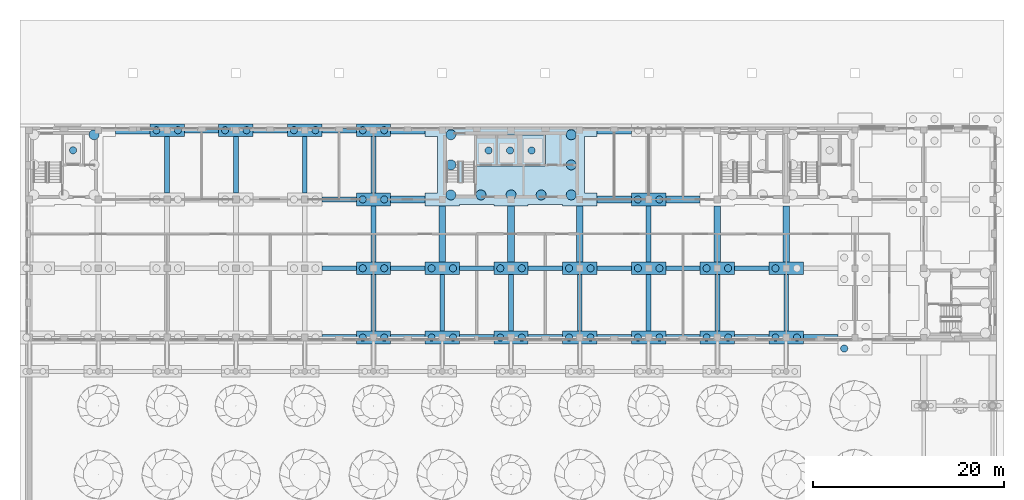
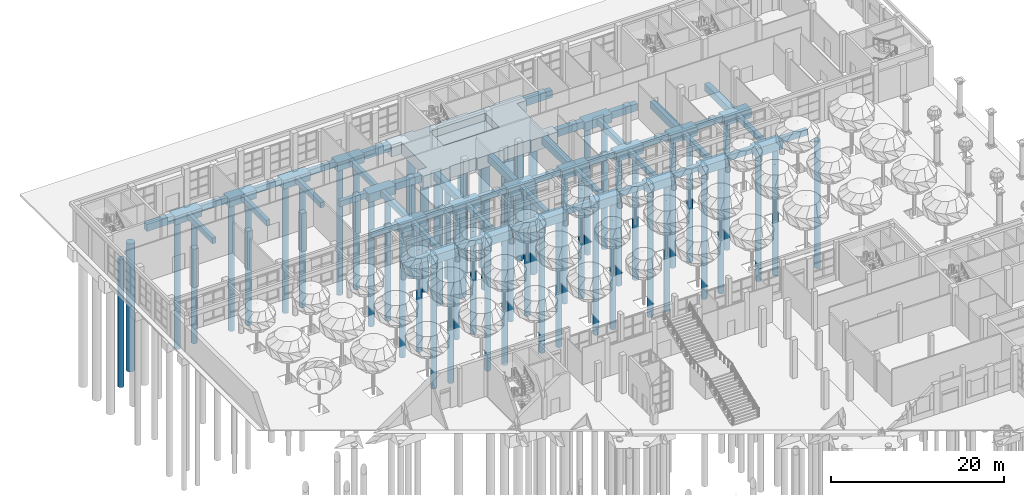
# One storey, part 6 of 80: 65 footings, 54 piles.
"""IFC4 building model written with IfcOpenShell, lengths in metres."""

from ifc_helpers import new_model, si_unit, direction, frame, origin, origin_2d, place, context, subcontext, project, spatial, polyline, rectangle, circle, outline, extrude, material, material_profile, profile_set, type_object, element, save


model = new_model("IFC4")

# Units and contexts
model_context = context("Model", 3, precision=1e-05, world=origin(), true_north=direction((0.0, 1.0)))
body_context = subcontext(model_context, "Body", "Model", "MODEL_VIEW")
ifc_project = project(units=[si_unit("LENGTHUNIT", "METRE"), si_unit("AREAUNIT", "SQUARE_METRE"), si_unit("VOLUMEUNIT", "CUBIC_METRE"), si_unit("PLANEANGLEUNIT", "RADIAN"), si_unit("MASSUNIT", "GRAM", prefix="KILO")], contexts=[model_context])

# Site, building, storey
site_placement = place(None, origin())
site = spatial("IfcSite", under=ifc_project, at=site_placement, CompositionType="ELEMENT")
building_placement = place(site_placement, origin())
building = spatial("IfcBuilding", under=site, at=building_placement, Name="Ussher Court Research Institute", CompositionType="ELEMENT")
storey_placement = place(building_placement, origin())
storey = spatial("IfcBuildingStorey", under=building, at=storey_placement, Name="L00", CompositionType="ELEMENT", Elevation=0.0)

# Piles
ifc_material_1 = material(Name="Concrete C35/45", Category="concrete")
ifc_material_profile_1 = material_profile(ifc_material_1, circle(Radius=0.52490234375, at=origin_2d()), Name="RC D1050")
ifc_profile_set_1 = profile_set([ifc_material_profile_1], Name="Concrete C35/45")
pile_type_1 = type_object("IfcPileType", Name="Bored pile D1050", PredefinedType="BORED", material=ifc_profile_set_1)
for number, where, z_axis, x_axis, name in (
    (1, (9.75, 89.97509765625, -2.10009765625), (0.0, 0.0, -1.0), (1.0, 0.0, 0.0), "P5 016-07"),
    (2, (47.10009765625, 83.675048828125, -2.10009765625), (0.0, 0.0, -1.0), (1.0, 0.0, 0.0), "P5 060-01"),
    (3, (47.10009765625, 86.824951171875, -2.10009765625), (0.0, 0.0, -1.0), (1.0, 0.0, 0.0), "P5 060-02"),
    (4, (47.10009765625, 89.97509765625, -2.10009765625), (0.0, 0.0, -1.0), (1.0, 0.0, 0.0), "P5 060-03"),
    (5, (50.25, 83.675048828125, -2.10009765625), (0.0, 0.0, -1.0), (1.0, 0.0, 0.0), "P5 060-04"),
    (6, (53.39990234375, 83.675048828125, -2.10009765625), (0.0, 0.0, -1.0), (1.0, 0.0, 0.0), "P5 060-05"),
    (7, (56.550048828125, 83.675048828125, -2.10009765625), (0.0, 0.0, -1.0), (1.0, 0.0, 0.0), "P5 060-06"),
    (8, (59.699951171875, 83.675048828125, -2.10009765625), (0.0, 0.0, -1.0), (1.0, 0.0, 0.0), "P5 060-07"),
    (9, (59.699951171875, 86.824951171875, -2.10009765625), (0.0, 0.0, -1.0), (1.0, 0.0, 0.0), "P5 060-08"),
    (10, (59.699951171875, 89.97509765625, -2.10009765625), (0.0, 0.0, -1.0), (1.0, 0.0, 0.0), "P5 060-09"),
):
    element("IfcPile", number, at=place(storey_placement, frame(where, z_axis=z_axis, x_axis=x_axis)), inside=storey, type_object=pile_type_1, Name=name, PredefinedType="BORED", context=body_context, shape_type="SweptSolid", body=[
        extrude(circle(Radius=0.52490234375, at=origin_2d()), origin(), (0.0, 0.0, 1.0), 18.0),
    ])
ifc_material_2 = material(Name="Concrete C35/45", Category="concrete")
ifc_material_profile_2 = material_profile(ifc_material_2, circle(Radius=0.375, at=origin_2d()), Name="RC D750")
ifc_profile_set_2 = profile_set([ifc_material_profile_2], Name="Concrete C35/45")
pile_type_2 = type_object("IfcPileType", Name="Bored pile D750", PredefinedType="BORED", material=ifc_profile_set_2)
for number, where, z_axis, x_axis, name in (
    (11, (7.550048828125, 88.35009765625, -2.64990234375), (0.0, 0.0, -1.0), (1.0, 0.0, 0.0), "P1 002-01"),
    (12, (51.050048828125, 88.324951171875, -2.64990234375), (0.0, 0.0, -1.0), (1.0, 0.0, 0.0), "P1 004-01"),
    (13, (53.300048828125, 88.324951171875, -2.64990234375), (0.0, 0.0, -1.0), (1.0, 0.0, 0.0), "P1 004-02"),
    (14, (55.550048828125, 88.324951171875, -2.64990234375), (0.0, 0.0, -1.0), (1.0, 0.0, 0.0), "P1 004-03"),
    (15, (16.27490234375, 90.449951171875, -1.60009765625), (0.0, 0.0, -1.0), (1.0, 0.0, 0.0), "P1 029-01"),
    (16, (18.52490234375, 90.449951171875, -1.60009765625), (0.0, 0.0, -1.0), (1.0, 0.0, 0.0), "P1 029-02"),
    (17, (23.47509765625, 90.449951171875, -1.60009765625), (0.0, 0.0, -1.0), (1.0, 0.0, 0.0), "P1 037-01"),
    (18, (25.72509765625, 90.449951171875, -1.60009765625), (0.0, 0.0, -1.0), (1.0, 0.0, 0.0), "P1 037-02"),
    (19, (30.675048828125, 90.449951171875, -1.60009765625), (0.0, 0.0, -1.0), (1.0, 0.0, 0.0), "P1 043-01"),
    (20, (32.925048828125, 90.449951171875, -1.60009765625), (0.0, 0.0, -1.0), (1.0, 0.0, 0.0), "P1 043-02"),
    (21, (37.875, 68.75, -1.60009765625), (0.0, 0.0, -1.0), (1.0, 0.0, 0.0), "P1 052-01"),
    (22, (40.125, 68.75, -1.60009765625), (0.0, 0.0, -1.0), (1.0, 0.0, 0.0), "P1 052-02"),
    (23, (37.875, 76.0, -1.60009765625), (0.0, 0.0, -1.0), (1.0, 0.0, 0.0), "P1 053-01"),
    (24, (40.125, 76.0, -1.60009765625), (0.0, 0.0, -1.0), (1.0, 0.0, 0.0), "P1 053-02"),
    (25, (37.875, 83.199951171875, -1.60009765625), (0.0, 0.0, -1.0), (1.0, 0.0, 0.0), "P1 054-01"),
    (26, (40.125, 83.199951171875, -1.60009765625), (0.0, 0.0, -1.0), (1.0, 0.0, 0.0), "P1 054-02"),
    (27, (37.875, 90.449951171875, -1.60009765625), (0.0, 0.0, -1.0), (1.0, 0.0, 0.0), "P1 055-01"),
    (28, (40.125, 90.449951171875, -1.60009765625), (0.0, 0.0, -1.0), (1.0, 0.0, 0.0), "P1 055-02"),
    (29, (45.074951171875, 68.75, -1.60009765625), (0.0, 0.0, -1.0), (1.0, 0.0, 0.0), "P1 058-01"),
    (30, (47.324951171875, 68.75, -1.60009765625), (0.0, 0.0, -1.0), (1.0, 0.0, 0.0), "P1 058-02"),
    (31, (45.074951171875, 76.0, -1.60009765625), (0.0, 0.0, -1.0), (1.0, 0.0, 0.0), "P1 059-01"),
    (32, (47.324951171875, 76.0, -1.60009765625), (0.0, 0.0, -1.0), (1.0, 0.0, 0.0), "P1 059-02"),
    (33, (52.27490234375, 68.75, -1.60009765625), (0.0, 0.0, -1.0), (1.0, 0.0, 0.0), "P1 065-01"),
    (34, (54.52490234375, 68.75, -1.60009765625), (0.0, 0.0, -1.0), (1.0, 0.0, 0.0), "P1 065-02"),
    (35, (52.27490234375, 76.0, -1.60009765625), (0.0, 0.0, -1.0), (1.0, 0.0, 0.0), "P1 066-01"),
    (36, (54.52490234375, 76.0, -1.60009765625), (0.0, 0.0, -1.0), (1.0, 0.0, 0.0), "P1 066-02"),
    (37, (59.47509765625, 68.75, -1.60009765625), (0.0, 0.0, -1.0), (1.0, 0.0, 0.0), "P1 071-01"),
    (38, (61.72509765625, 68.75, -1.60009765625), (0.0, 0.0, -1.0), (1.0, 0.0, 0.0), "P1 071-02"),
    (39, (59.47509765625, 76.0, -1.60009765625), (0.0, 0.0, -1.0), (1.0, 0.0, 0.0), "P1 072-01"),
    (40, (61.72509765625, 76.0, -1.60009765625), (0.0, 0.0, -1.0), (1.0, 0.0, 0.0), "P1 072-02"),
    (41, (66.675048828125, 68.75, -1.60009765625), (0.0, 0.0, -1.0), (1.0, 0.0, 0.0), "P1 076-01"),
    (42, (68.925048828125, 68.75, -1.60009765625), (0.0, 0.0, -1.0), (1.0, 0.0, 0.0), "P1 076-02"),
    (43, (66.675048828125, 76.0, -1.60009765625), (0.0, 0.0, -1.0), (1.0, 0.0, 0.0), "P1 077-01"),
    (44, (68.925048828125, 76.0, -1.60009765625), (0.0, 0.0, -1.0), (1.0, 0.0, 0.0), "P1 077-02"),
    (45, (66.675048828125, 83.199951171875, -1.60009765625), (0.0, 0.0, -1.0), (1.0, 0.0, 0.0), "P1 078-01"),
    (46, (68.925048828125, 83.199951171875, -1.60009765625), (0.0, 0.0, -1.0), (1.0, 0.0, 0.0), "P1 078-02"),
    (47, (73.875, 68.75, -1.60009765625), (0.0, 0.0, -1.0), (1.0, 0.0, 0.0), "P1 082-01"),
    (48, (76.125, 68.75, -1.60009765625), (0.0, 0.0, -1.0), (1.0, 0.0, 0.0), "P1 082-02"),
    (49, (73.875, 76.0, -1.60009765625), (0.0, 0.0, -1.0), (1.0, 0.0, 0.0), "P1 083-01"),
    (50, (76.125, 76.0, -1.60009765625), (0.0, 0.0, -1.0), (1.0, 0.0, 0.0), "P1 083-02"),
    (51, (81.074951171875, 68.75, -1.60009765625), (0.0, 0.0, -1.0), (1.0, 0.0, 0.0), "P1 093-01"),
    (52, (83.324951171875, 68.75, -1.60009765625), (0.0, 0.0, -1.0), (1.0, 0.0, 0.0), "P1 093-02"),
    (53, (81.074951171875, 76.0, -1.60009765625), (0.0, 0.0, -1.0), (1.0, 0.0, 0.0), "P1 094-01"),
    (54, (88.27490234375, 67.60009765625, -1.60009765625), (0.0, 0.0, -1.0), (1.0, 0.0, 0.0), "P1 097-01"),
):
    element("IfcPile", number, at=place(storey_placement, frame(where, z_axis=z_axis, x_axis=x_axis)), inside=storey, type_object=pile_type_2, Name=name, PredefinedType="BORED", context=body_context, shape_type="SweptSolid", body=[
        extrude(circle(Radius=0.375, at=origin_2d()), origin(), (0.0, 0.0, 1.0), 18.0),
    ])

# Footings
ifc_material_3 = material(Name="Concrete C35/45", Category="concrete")
footing_type_1 = type_object("IfcFootingType", Name="Core raft 18000x8600x1700", PredefinedType="PILE_CAP", material=ifc_material_3)
footing_1_placement = place(storey_placement, frame((0.0, 0.0, -2.25)))
element("IfcFooting", 55, at=footing_1_placement, inside=storey, type_object=footing_type_1, Name="CR20 060", PredefinedType="PILE_CAP", context=body_context, shape_type="SweptSolid", body=[
    extrude(outline(polyline([(45.699951171875, 89.77490234375), (45.699951171875, 83.875), (44.39990234375, 83.875), (44.39990234375, 82.52490234375), (48.0, 82.52490234375), (48.0, 82.699951171875), (51.60009765625, 82.699951171875), (51.60009765625, 82.52490234375), (55.199951171875, 82.52490234375), (55.199951171875, 82.699951171875), (58.800048828125, 82.699951171875), (58.800048828125, 82.52490234375), (62.39990234375, 82.52490234375), (62.39990234375, 83.875), (61.10009765625, 83.875), (61.10009765625, 89.77490234375), (62.39990234375, 89.77490234375), (62.39990234375, 91.125), (58.800048828125, 91.125), (58.800048828125, 90.89990234375), (55.199951171875, 90.89990234375), (55.199951171875, 91.125), (51.60009765625, 91.125), (51.60009765625, 90.89990234375), (48.0, 90.89990234375), (48.0, 91.125), (44.39990234375, 91.125), (44.39990234375, 89.77490234375), (45.699951171875, 89.77490234375)]), holes=[polyline([(57.0, 89.949951171875), (57.0, 86.699951171875), (49.60009765625, 86.699951171875), (49.60009765625, 89.949951171875), (57.0, 89.949951171875)])]), origin(), (0.0, 0.0, 1.0), 1.699951171875),
])
ifc_material_4 = material(Name="Concrete C35/45", Category="concrete")
footing_type_2 = type_object("IfcFootingType", Name="Core raft 7400x3250x1200", PredefinedType="PILE_CAP", material=ifc_material_4)
footing_2_placement = place(storey_placement, frame((0.0, 0.0, -2.800048828125)))
element("IfcFooting", 56, at=footing_2_placement, inside=storey, type_object=footing_type_2, Name="CR10 004", PredefinedType="PILE_CAP", context=body_context, shape_type="SweptSolid", body=[
    extrude(outline(polyline([(57.0, 86.699951171875), (57.0, 89.949951171875), (49.60009765625, 89.949951171875), (49.60009765625, 86.699951171875), (57.0, 86.699951171875)])), origin(), (0.0, 0.0, 1.0), 1.199951171875),
])
ifc_material_5 = material(Name="Concrete C35/45", Category="concrete")
footing_type_3 = type_object("IfcFootingType", Name="Pile cap 3600x1350x1200", PredefinedType="PILE_CAP", material=ifc_material_5)
footing_3_placement = place(storey_placement, frame((0.0, 0.0, -1.75)))
element("IfcFooting", 57, at=footing_3_placement, inside=storey, type_object=footing_type_3, Name="PC4 029", PredefinedType="PILE_CAP", context=body_context, shape_type="SweptSolid", body=[
    extrude(outline(polyline([(15.60009765625, 89.77490234375), (19.199951171875, 89.77490234375), (19.199951171875, 91.125), (15.60009765625, 91.125), (15.60009765625, 89.77490234375)])), origin(), (0.0, 0.0, 1.0), 1.199951171875),
])
footing_4_placement = place(storey_placement, frame((0.0, 0.0, -1.75)))
element("IfcFooting", 58, at=footing_4_placement, inside=storey, type_object=footing_type_3, Name="PC4 037", PredefinedType="PILE_CAP", context=body_context, shape_type="SweptSolid", body=[
    extrude(outline(polyline([(22.800048828125, 89.77490234375), (26.39990234375, 89.77490234375), (26.39990234375, 91.125), (22.800048828125, 91.125), (22.800048828125, 89.77490234375)])), origin(), (0.0, 0.0, 1.0), 1.199951171875),
])
footing_5_placement = place(storey_placement, frame((0.0, 0.0, -1.75)))
element("IfcFooting", 59, at=footing_5_placement, inside=storey, type_object=footing_type_3, Name="PC4 043", PredefinedType="PILE_CAP", context=body_context, shape_type="SweptSolid", body=[
    extrude(outline(polyline([(30.0, 89.77490234375), (33.60009765625, 89.77490234375), (33.60009765625, 91.125), (30.0, 91.125), (30.0, 89.77490234375)])), origin(), (0.0, 0.0, 1.0), 1.199951171875),
])
footing_6_placement = place(storey_placement, frame((0.0, 0.0, -1.75)))
element("IfcFooting", 60, at=footing_6_placement, inside=storey, type_object=footing_type_3, Name="PC4 052", PredefinedType="PILE_CAP", context=body_context, shape_type="SweptSolid", body=[
    extrude(outline(polyline([(37.199951171875, 68.074951171875), (40.800048828125, 68.074951171875), (40.800048828125, 69.425048828125), (37.199951171875, 69.425048828125), (37.199951171875, 68.074951171875)])), origin(), (0.0, 0.0, 1.0), 1.199951171875),
])
footing_7_placement = place(storey_placement, frame((0.0, 0.0, -1.75)))
element("IfcFooting", 61, at=footing_7_placement, inside=storey, type_object=footing_type_3, Name="PC4 053", PredefinedType="PILE_CAP", context=body_context, shape_type="SweptSolid", body=[
    extrude(outline(polyline([(37.199951171875, 75.324951171875), (40.800048828125, 75.324951171875), (40.800048828125, 76.675048828125), (37.199951171875, 76.675048828125), (37.199951171875, 75.324951171875)])), origin(), (0.0, 0.0, 1.0), 1.199951171875),
])
footing_8_placement = place(storey_placement, frame((0.0, 0.0, -1.75)))
element("IfcFooting", 62, at=footing_8_placement, inside=storey, type_object=footing_type_3, Name="PC4 054", PredefinedType="PILE_CAP", context=body_context, shape_type="SweptSolid", body=[
    extrude(outline(polyline([(37.199951171875, 82.52490234375), (40.800048828125, 82.52490234375), (40.800048828125, 83.875), (37.199951171875, 83.875), (37.199951171875, 82.52490234375)])), origin(), (0.0, 0.0, 1.0), 1.199951171875),
])
footing_9_placement = place(storey_placement, frame((0.0, 0.0, -1.75)))
element("IfcFooting", 63, at=footing_9_placement, inside=storey, type_object=footing_type_3, Name="PC4 055", PredefinedType="PILE_CAP", context=body_context, shape_type="SweptSolid", body=[
    extrude(outline(polyline([(37.199951171875, 89.77490234375), (40.800048828125, 89.77490234375), (40.800048828125, 91.125), (37.199951171875, 91.125), (37.199951171875, 89.77490234375)])), origin(), (0.0, 0.0, 1.0), 1.199951171875),
])
footing_10_placement = place(storey_placement, frame((0.0, 0.0, -1.75)))
element("IfcFooting", 64, at=footing_10_placement, inside=storey, type_object=footing_type_3, Name="PC4 058", PredefinedType="PILE_CAP", context=body_context, shape_type="SweptSolid", body=[
    extrude(outline(polyline([(44.39990234375, 68.074951171875), (48.0, 68.074951171875), (48.0, 69.425048828125), (44.39990234375, 69.425048828125), (44.39990234375, 68.074951171875)])), origin(), (0.0, 0.0, 1.0), 1.199951171875),
])
footing_11_placement = place(storey_placement, frame((0.0, 0.0, -1.75)))
element("IfcFooting", 65, at=footing_11_placement, inside=storey, type_object=footing_type_3, Name="PC4 059", PredefinedType="PILE_CAP", context=body_context, shape_type="SweptSolid", body=[
    extrude(outline(polyline([(44.39990234375, 75.324951171875), (48.0, 75.324951171875), (48.0, 76.675048828125), (44.39990234375, 76.675048828125), (44.39990234375, 75.324951171875)])), origin(), (0.0, 0.0, 1.0), 1.199951171875),
])
footing_12_placement = place(storey_placement, frame((0.0, 0.0, -1.75)))
element("IfcFooting", 66, at=footing_12_placement, inside=storey, type_object=footing_type_3, Name="PC4 065", PredefinedType="PILE_CAP", context=body_context, shape_type="SweptSolid", body=[
    extrude(outline(polyline([(51.60009765625, 68.074951171875), (55.199951171875, 68.074951171875), (55.199951171875, 69.425048828125), (51.60009765625, 69.425048828125), (51.60009765625, 68.074951171875)])), origin(), (0.0, 0.0, 1.0), 1.199951171875),
])
footing_13_placement = place(storey_placement, frame((0.0, 0.0, -1.75)))
element("IfcFooting", 67, at=footing_13_placement, inside=storey, type_object=footing_type_3, Name="PC4 066", PredefinedType="PILE_CAP", context=body_context, shape_type="SweptSolid", body=[
    extrude(outline(polyline([(51.60009765625, 75.324951171875), (55.199951171875, 75.324951171875), (55.199951171875, 76.675048828125), (51.60009765625, 76.675048828125), (51.60009765625, 75.324951171875)])), origin(), (0.0, 0.0, 1.0), 1.199951171875),
])
footing_14_placement = place(storey_placement, frame((0.0, 0.0, -1.75)))
element("IfcFooting", 68, at=footing_14_placement, inside=storey, type_object=footing_type_3, Name="PC4 071", PredefinedType="PILE_CAP", context=body_context, shape_type="SweptSolid", body=[
    extrude(outline(polyline([(58.800048828125, 68.074951171875), (62.39990234375, 68.074951171875), (62.39990234375, 69.425048828125), (58.800048828125, 69.425048828125), (58.800048828125, 68.074951171875)])), origin(), (0.0, 0.0, 1.0), 1.199951171875),
])
footing_15_placement = place(storey_placement, frame((0.0, 0.0, -1.75)))
element("IfcFooting", 69, at=footing_15_placement, inside=storey, type_object=footing_type_3, Name="PC4 072", PredefinedType="PILE_CAP", context=body_context, shape_type="SweptSolid", body=[
    extrude(outline(polyline([(58.800048828125, 75.324951171875), (62.39990234375, 75.324951171875), (62.39990234375, 76.675048828125), (58.800048828125, 76.675048828125), (58.800048828125, 75.324951171875)])), origin(), (0.0, 0.0, 1.0), 1.199951171875),
])
footing_16_placement = place(storey_placement, frame((0.0, 0.0, -1.75)))
element("IfcFooting", 70, at=footing_16_placement, inside=storey, type_object=footing_type_3, Name="PC4 076", PredefinedType="PILE_CAP", context=body_context, shape_type="SweptSolid", body=[
    extrude(outline(polyline([(66.0, 68.074951171875), (69.60009765625, 68.074951171875), (69.60009765625, 69.425048828125), (66.0, 69.425048828125), (66.0, 68.074951171875)])), origin(), (0.0, 0.0, 1.0), 1.199951171875),
])
footing_17_placement = place(storey_placement, frame((0.0, 0.0, -1.75)))
element("IfcFooting", 71, at=footing_17_placement, inside=storey, type_object=footing_type_3, Name="PC4 077", PredefinedType="PILE_CAP", context=body_context, shape_type="SweptSolid", body=[
    extrude(outline(polyline([(66.0, 75.324951171875), (69.60009765625, 75.324951171875), (69.60009765625, 76.675048828125), (66.0, 76.675048828125), (66.0, 75.324951171875)])), origin(), (0.0, 0.0, 1.0), 1.199951171875),
])
footing_18_placement = place(storey_placement, frame((0.0, 0.0, -1.75)))
element("IfcFooting", 72, at=footing_18_placement, inside=storey, type_object=footing_type_3, Name="PC4 078", PredefinedType="PILE_CAP", context=body_context, shape_type="SweptSolid", body=[
    extrude(outline(polyline([(66.0, 82.52490234375), (69.60009765625, 82.52490234375), (69.60009765625, 83.875), (66.0, 83.875), (66.0, 82.52490234375)])), origin(), (0.0, 0.0, 1.0), 1.199951171875),
])
footing_19_placement = place(storey_placement, frame((0.0, 0.0, -1.75)))
element("IfcFooting", 73, at=footing_19_placement, inside=storey, type_object=footing_type_3, Name="PC4 082", PredefinedType="PILE_CAP", context=body_context, shape_type="SweptSolid", body=[
    extrude(outline(polyline([(73.199951171875, 68.074951171875), (76.800048828125, 68.074951171875), (76.800048828125, 69.425048828125), (73.199951171875, 69.425048828125), (73.199951171875, 68.074951171875)])), origin(), (0.0, 0.0, 1.0), 1.199951171875),
])
footing_20_placement = place(storey_placement, frame((0.0, 0.0, -1.75)))
element("IfcFooting", 74, at=footing_20_placement, inside=storey, type_object=footing_type_3, Name="PC4 083", PredefinedType="PILE_CAP", context=body_context, shape_type="SweptSolid", body=[
    extrude(outline(polyline([(73.199951171875, 75.324951171875), (76.800048828125, 75.324951171875), (76.800048828125, 76.675048828125), (73.199951171875, 76.675048828125), (73.199951171875, 75.324951171875)])), origin(), (0.0, 0.0, 1.0), 1.199951171875),
])
footing_21_placement = place(storey_placement, frame((0.0, 0.0, -1.75)))
element("IfcFooting", 75, at=footing_21_placement, inside=storey, type_object=footing_type_3, Name="PC4 093", PredefinedType="PILE_CAP", context=body_context, shape_type="SweptSolid", body=[
    extrude(outline(polyline([(80.39990234375, 68.074951171875), (84.0, 68.074951171875), (84.0, 69.425048828125), (80.39990234375, 69.425048828125), (80.39990234375, 68.074951171875)])), origin(), (0.0, 0.0, 1.0), 1.199951171875),
])
footing_22_placement = place(storey_placement, frame((0.0, 0.0, -1.75)))
element("IfcFooting", 76, at=footing_22_placement, inside=storey, type_object=footing_type_3, Name="PC4 094", PredefinedType="PILE_CAP", context=body_context, shape_type="SweptSolid", body=[
    extrude(outline(polyline([(80.39990234375, 75.324951171875), (84.0, 75.324951171875), (84.0, 76.675048828125), (80.39990234375, 76.675048828125), (80.39990234375, 75.324951171875)])), origin(), (0.0, 0.0, 1.0), 1.199951171875),
])
ifc_material_6 = material(Name="Concrete C35/45", Category="concrete")
ifc_material_profile_3 = material_profile(ifc_material_6, rectangle(XDim=0.5, YDim=0.800048828125, at=origin_2d()), Name="RC 500x800")
ifc_profile_set_3 = profile_set([ifc_material_profile_3], Name="Concrete C35/45")
footing_type_4 = type_object("IfcFootingType", Name="RC 500x800 ground beam", PredefinedType="FOOTING_BEAM", material=ifc_profile_set_3)
for number, where, z_axis, x_axis, name in (
    (77, (33.60107421875, 68.800048828125, -0.949951171875), (1.0, 0.0, 0.0), (0.0, 1.0, 0.0), "GB1 075"),
    (78, (40.801025390625, 68.800048828125, -0.949951171875), (1.0, 0.0, 0.0), (0.0, 1.0, 0.0), "GB1 076"),
):
    element("IfcFooting", number, at=place(storey_placement, frame(where, z_axis=z_axis, x_axis=x_axis)), inside=storey, type_object=footing_type_4, Name=name, PredefinedType="FOOTING_BEAM", context=body_context, shape_type="SweptSolid", body=[
        extrude(rectangle(XDim=0.5, YDim=0.800048828125, at=origin_2d()), origin(), (0.0, 0.0, 1.0), 3.597900390625),
    ])
for number, where, z_axis, x_axis, name in (
    (79, (48.0009765625, 68.800048828125, -0.949951171875), (1.0, 0.0, 0.0), (0.0, 1.0, 0.0), "GB1 077"),
    (80, (55.200927734375, 68.800048828125, -0.949951171875), (1.0, 0.0, 0.0), (0.0, 1.0, 0.0), "GB1 078"),
    (81, (62.40087890625, 68.800048828125, -0.949951171875), (1.0, 0.0, 0.0), (0.0, 1.0, 0.0), "GB1 079"),
):
    element("IfcFooting", number, at=place(storey_placement, frame(where, z_axis=z_axis, x_axis=x_axis)), inside=storey, type_object=footing_type_4, Name=name, PredefinedType="FOOTING_BEAM", context=body_context, shape_type="SweptSolid", body=[
        extrude(rectangle(XDim=0.5, YDim=0.800048828125, at=origin_2d()), origin(), (0.0, 0.0, 1.0), 3.59814453125),
    ])
for number, where, z_axis, x_axis, name in (
    (82, (69.60107421875, 68.800048828125, -0.949951171875), (1.0, 0.0, 0.0), (0.0, 1.0, 0.0), "GB1 080"),
    (83, (76.801025390625, 68.800048828125, -0.949951171875), (1.0, 0.0, 0.0), (0.0, 1.0, 0.0), "GB1 081"),
):
    element("IfcFooting", number, at=place(storey_placement, frame(where, z_axis=z_axis, x_axis=x_axis)), inside=storey, type_object=footing_type_4, Name=name, PredefinedType="FOOTING_BEAM", context=body_context, shape_type="SweptSolid", body=[
        extrude(rectangle(XDim=0.5, YDim=0.800048828125, at=origin_2d()), origin(), (0.0, 0.0, 1.0), 3.597900390625),
    ])
footing_23_placement = place(storey_placement, frame((84.0009765625, 68.800048828125, -0.949951171875), z_axis=(1.0, 0.0, 0.0), x_axis=(0.0, 1.0, 0.0)))
element("IfcFooting", 84, at=footing_23_placement, inside=storey, type_object=footing_type_4, Name="GB1 082", PredefinedType="FOOTING_BEAM", context=body_context, shape_type="SweptSolid", body=[
    extrude(rectangle(XDim=0.5, YDim=0.800048828125, at=origin_2d()), origin(), (0.0, 0.0, 1.0), 3.59814453125),
])
for number, where, z_axis, x_axis, name in (
    (85, (33.60107421875, 76.0, -0.949951171875), (1.0, 0.0, 0.0), (0.0, 1.0, 0.0), "GB1 088"),
    (86, (40.801025390625, 76.0, -0.949951171875), (1.0, 0.0, 0.0), (0.0, 1.0, 0.0), "GB1 089"),
):
    element("IfcFooting", number, at=place(storey_placement, frame(where, z_axis=z_axis, x_axis=x_axis)), inside=storey, type_object=footing_type_4, Name=name, PredefinedType="FOOTING_BEAM", context=body_context, shape_type="SweptSolid", body=[
        extrude(rectangle(XDim=0.5, YDim=0.800048828125, at=origin_2d()), origin(), (0.0, 0.0, 1.0), 3.597900390625),
    ])
for number, where, z_axis, x_axis, name in (
    (87, (48.0009765625, 76.0, -0.949951171875), (1.0, 0.0, 0.0), (0.0, 1.0, 0.0), "GB1 090"),
    (88, (55.200927734375, 76.0, -0.949951171875), (1.0, 0.0, 0.0), (0.0, 1.0, 0.0), "GB1 091"),
    (89, (62.40087890625, 76.0, -0.949951171875), (1.0, 0.0, 0.0), (0.0, 1.0, 0.0), "GB1 092"),
):
    element("IfcFooting", number, at=place(storey_placement, frame(where, z_axis=z_axis, x_axis=x_axis)), inside=storey, type_object=footing_type_4, Name=name, PredefinedType="FOOTING_BEAM", context=body_context, shape_type="SweptSolid", body=[
        extrude(rectangle(XDim=0.5, YDim=0.800048828125, at=origin_2d()), origin(), (0.0, 0.0, 1.0), 3.59814453125),
    ])
for number, where, z_axis, x_axis, name in (
    (90, (69.60107421875, 76.0, -0.949951171875), (1.0, 0.0, 0.0), (0.0, 1.0, 0.0), "GB1 093"),
    (91, (76.801025390625, 76.0, -0.949951171875), (1.0, 0.0, 0.0), (0.0, 1.0, 0.0), "GB1 094"),
    (92, (33.60107421875, 83.199951171875, -0.949951171875), (1.0, 0.0, 0.0), (0.0, 1.0, 0.0), "GB1 100"),
):
    element("IfcFooting", number, at=place(storey_placement, frame(where, z_axis=z_axis, x_axis=x_axis)), inside=storey, type_object=footing_type_4, Name=name, PredefinedType="FOOTING_BEAM", context=body_context, shape_type="SweptSolid", body=[
        extrude(rectangle(XDim=0.5, YDim=0.800048828125, at=origin_2d()), origin(), (0.0, 0.0, 1.0), 3.597900390625),
    ])
for number, where, z_axis, x_axis, name in (
    (93, (19.200927734375, 90.39990234375, -0.949951171875), (1.0, 0.0, 0.0), (0.0, 1.0, 0.0), "GB1 107"),
    (94, (26.40087890625, 90.39990234375, -0.949951171875), (1.0, 0.0, 0.0), (0.0, 1.0, 0.0), "GB1 108"),
):
    element("IfcFooting", number, at=place(storey_placement, frame(where, z_axis=z_axis, x_axis=x_axis)), inside=storey, type_object=footing_type_4, Name=name, PredefinedType="FOOTING_BEAM", context=body_context, shape_type="SweptSolid", body=[
        extrude(rectangle(XDim=0.5, YDim=0.800048828125, at=origin_2d()), origin(), (0.0, 0.0, 1.0), 3.59814453125),
    ])
footing_24_placement = place(storey_placement, frame((33.60107421875, 90.39990234375, -0.949951171875), z_axis=(1.0, 0.0, 0.0), x_axis=(0.0, 1.0, 0.0)))
element("IfcFooting", 95, at=footing_24_placement, inside=storey, type_object=footing_type_4, Name="GB1 109", PredefinedType="FOOTING_BEAM", context=body_context, shape_type="SweptSolid", body=[
    extrude(rectangle(XDim=0.5, YDim=0.800048828125, at=origin_2d()), origin(), (0.0, 0.0, 1.0), 3.597900390625),
])
for number, where, z_axis, x_axis, name in (
    (96, (17.39990234375, 83.8759765625, -0.949951171875), (0.0, 1.0, 0.0), (-1.0, 0.0, 0.0), "GB1 131"),
    (97, (24.60009765625, 83.8759765625, -0.949951171875), (0.0, 1.0, 0.0), (-1.0, 0.0, 0.0), "GB1 136"),
    (98, (31.800048828125, 83.8759765625, -0.949951171875), (0.0, 1.0, 0.0), (-1.0, 0.0, 0.0), "GB1 146"),
    (99, (39.0, 69.426025390625, -0.949951171875), (0.0, 1.0, 0.0), (-1.0, 0.0, 0.0), "GB1 152"),
):
    element("IfcFooting", number, at=place(storey_placement, frame(where, z_axis=z_axis, x_axis=x_axis)), inside=storey, type_object=footing_type_4, Name=name, PredefinedType="FOOTING_BEAM", context=body_context, shape_type="SweptSolid", body=[
        extrude(rectangle(XDim=0.5, YDim=0.800048828125, at=origin_2d()), origin(), (0.0, 0.0, 1.0), 5.89794921875),
    ])
footing_25_placement = place(storey_placement, frame((39.0, 76.676025390625, -0.949951171875), z_axis=(0.0, 1.0, 0.0), x_axis=(-1.0, 0.0, 0.0)))
element("IfcFooting", 100, at=footing_25_placement, inside=storey, type_object=footing_type_4, Name="GB1 153", PredefinedType="FOOTING_BEAM", context=body_context, shape_type="SweptSolid", body=[
    extrude(rectangle(XDim=0.5, YDim=0.800048828125, at=origin_2d()), origin(), (0.0, 0.0, 1.0), 5.847900390625),
])
for number, where, z_axis, x_axis, name in (
    (101, (39.0, 83.8759765625, -0.949951171875), (0.0, 1.0, 0.0), (-1.0, 0.0, 0.0), "GB1 154"),
    (102, (46.199951171875, 69.426025390625, -0.949951171875), (0.0, 1.0, 0.0), (-1.0, 0.0, 0.0), "GB1 158"),
    (103, (53.39990234375, 69.426025390625, -0.949951171875), (0.0, 1.0, 0.0), (-1.0, 0.0, 0.0), "GB1 161"),
    (104, (60.60009765625, 69.426025390625, -0.949951171875), (0.0, 1.0, 0.0), (-1.0, 0.0, 0.0), "GB1 164"),
    (105, (67.800048828125, 69.426025390625, -0.949951171875), (0.0, 1.0, 0.0), (-1.0, 0.0, 0.0), "GB1 177"),
):
    element("IfcFooting", number, at=place(storey_placement, frame(where, z_axis=z_axis, x_axis=x_axis)), inside=storey, type_object=footing_type_4, Name=name, PredefinedType="FOOTING_BEAM", context=body_context, shape_type="SweptSolid", body=[
        extrude(rectangle(XDim=0.5, YDim=0.800048828125, at=origin_2d()), origin(), (0.0, 0.0, 1.0), 5.89794921875),
    ])
footing_26_placement = place(storey_placement, frame((67.800048828125, 76.676025390625, -0.949951171875), z_axis=(0.0, 1.0, 0.0), x_axis=(-1.0, 0.0, 0.0)))
element("IfcFooting", 106, at=footing_26_placement, inside=storey, type_object=footing_type_4, Name="GB1 178", PredefinedType="FOOTING_BEAM", context=body_context, shape_type="SweptSolid", body=[
    extrude(rectangle(XDim=0.5, YDim=0.800048828125, at=origin_2d()), origin(), (0.0, 0.0, 1.0), 5.847900390625),
])
for number, where, z_axis, x_axis, name in (
    (107, (75.0, 69.426025390625, -0.949951171875), (0.0, 1.0, 0.0), (-1.0, 0.0, 0.0), "GB1 184"),
    (108, (82.199951171875, 69.426025390625, -0.949951171875), (0.0, 1.0, 0.0), (-1.0, 0.0, 0.0), "GB1 189"),
):
    element("IfcFooting", number, at=place(storey_placement, frame(where, z_axis=z_axis, x_axis=x_axis)), inside=storey, type_object=footing_type_4, Name=name, PredefinedType="FOOTING_BEAM", context=body_context, shape_type="SweptSolid", body=[
        extrude(rectangle(XDim=0.5, YDim=0.800048828125, at=origin_2d()), origin(), (0.0, 0.0, 1.0), 5.89794921875),
    ])
ifc_material_7 = material(Name="Concrete C35/45", Category="concrete")
ifc_material_profile_4 = material_profile(ifc_material_7, rectangle(XDim=0.699951171875, YDim=1.0, at=origin_2d()), Name="RC 700x1000")
ifc_profile_set_4 = profile_set([ifc_material_profile_4], Name="Concrete C35/45")
footing_type_5 = type_object("IfcFootingType", Name="RC 700x1000 ground beam", PredefinedType="FOOTING_BEAM", material=ifc_profile_set_4)
footing_27_placement = place(storey_placement, frame((40.801025390625, 83.199951171875, -1.050048828125), z_axis=(1.0, 0.0, 0.0), x_axis=(0.0, 1.0, 0.0)))
element("IfcFooting", 109, at=footing_27_placement, inside=storey, type_object=footing_type_5, Name="GB5 101", PredefinedType="FOOTING_BEAM", context=body_context, shape_type="SweptSolid", body=[
    extrude(rectangle(XDim=0.699951171875, YDim=1.0, at=origin_2d()), origin(), (0.0, 0.0, 1.0), 3.597900390625),
])
footing_28_placement = place(storey_placement, frame((62.40087890625, 83.199951171875, -1.050048828125), z_axis=(1.0, 0.0, 0.0), x_axis=(0.0, 1.0, 0.0)))
element("IfcFooting", 110, at=footing_28_placement, inside=storey, type_object=footing_type_5, Name="GB5 102", PredefinedType="FOOTING_BEAM", context=body_context, shape_type="SweptSolid", body=[
    extrude(rectangle(XDim=0.699951171875, YDim=1.0, at=origin_2d()), origin(), (0.0, 0.0, 1.0), 3.59814453125),
])
footing_29_placement = place(storey_placement, frame((69.60107421875, 83.199951171875, -1.050048828125), z_axis=(1.0, 0.0, 0.0), x_axis=(0.0, 1.0, 0.0)))
element("IfcFooting", 111, at=footing_29_placement, inside=storey, type_object=footing_type_5, Name="GB5 103", PredefinedType="FOOTING_BEAM", context=body_context, shape_type="SweptSolid", body=[
    extrude(rectangle(XDim=0.699951171875, YDim=1.0, at=origin_2d()), origin(), (0.0, 0.0, 1.0), 3.597900390625),
])
footing_30_placement = place(storey_placement, frame((12.0009765625, 90.39990234375, -1.050048828125), z_axis=(1.0, 0.0, 0.0), x_axis=(0.0, 1.0, 0.0)))
element("IfcFooting", 112, at=footing_30_placement, inside=storey, type_object=footing_type_5, Name="GB5 106", PredefinedType="FOOTING_BEAM", context=body_context, shape_type="SweptSolid", body=[
    extrude(rectangle(XDim=0.699951171875, YDim=1.0, at=origin_2d()), origin(), (0.0, 0.0, 1.0), 3.59814453125),
])
footing_31_placement = place(storey_placement, frame((40.801025390625, 90.39990234375, -1.050048828125), z_axis=(1.0, 0.0, 0.0), x_axis=(0.0, 1.0, 0.0)))
element("IfcFooting", 113, at=footing_31_placement, inside=storey, type_object=footing_type_5, Name="GB5 110", PredefinedType="FOOTING_BEAM", context=body_context, shape_type="SweptSolid", body=[
    extrude(rectangle(XDim=0.699951171875, YDim=1.0, at=origin_2d()), origin(), (0.0, 0.0, 1.0), 3.597900390625),
])
footing_32_placement = place(storey_placement, frame((62.40087890625, 90.39990234375, -1.050048828125), z_axis=(1.0, 0.0, 0.0), x_axis=(0.0, 1.0, 0.0)))
element("IfcFooting", 114, at=footing_32_placement, inside=storey, type_object=footing_type_5, Name="GB5 111", PredefinedType="FOOTING_BEAM", context=body_context, shape_type="SweptSolid", body=[
    extrude(rectangle(XDim=0.699951171875, YDim=1.0, at=origin_2d()), origin(), (0.0, 0.0, 1.0), 3.59814453125),
])
for number, where, z_axis, x_axis, name in (
    (115, (46.199951171875, 76.676025390625, -1.050048828125), (0.0, 1.0, 0.0), (-1.0, 0.0, 0.0), "GB5 159"),
    (116, (53.39990234375, 76.676025390625, -1.050048828125), (0.0, 1.0, 0.0), (-1.0, 0.0, 0.0), "GB5 162"),
    (117, (60.60009765625, 76.676025390625, -1.050048828125), (0.0, 1.0, 0.0), (-1.0, 0.0, 0.0), "GB5 165"),
    (118, (75.0, 76.676025390625, -1.050048828125), (0.0, 1.0, 0.0), (-1.0, 0.0, 0.0), "GB5 185"),
    (119, (82.199951171875, 76.676025390625, -1.050048828125), (0.0, 1.0, 0.0), (-1.0, 0.0, 0.0), "GB5 190"),
):
    element("IfcFooting", number, at=place(storey_placement, frame(where, z_axis=z_axis, x_axis=x_axis)), inside=storey, type_object=footing_type_5, Name=name, PredefinedType="FOOTING_BEAM", context=body_context, shape_type="SweptSolid", body=[
        extrude(rectangle(XDim=0.699951171875, YDim=1.0, at=origin_2d()), origin(), (0.0, 0.0, 1.0), 5.847900390625),
    ])

save(model, "model.ifc")
